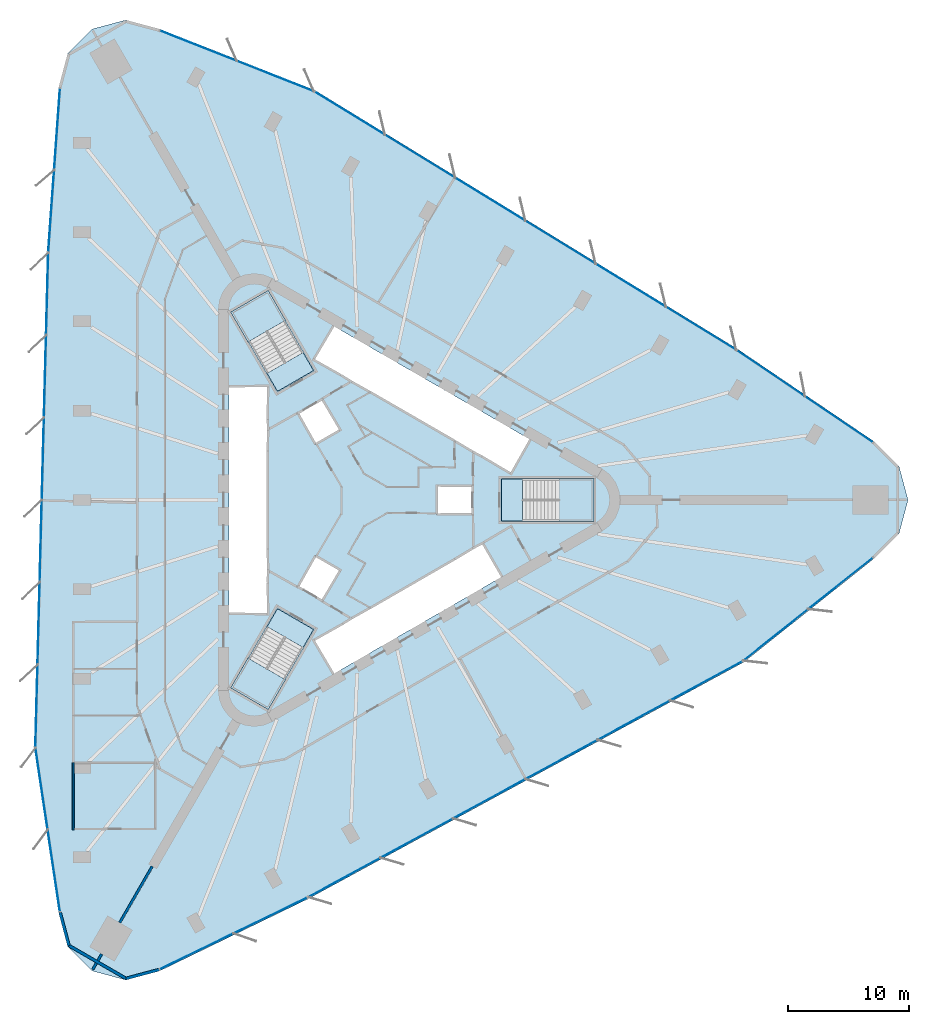
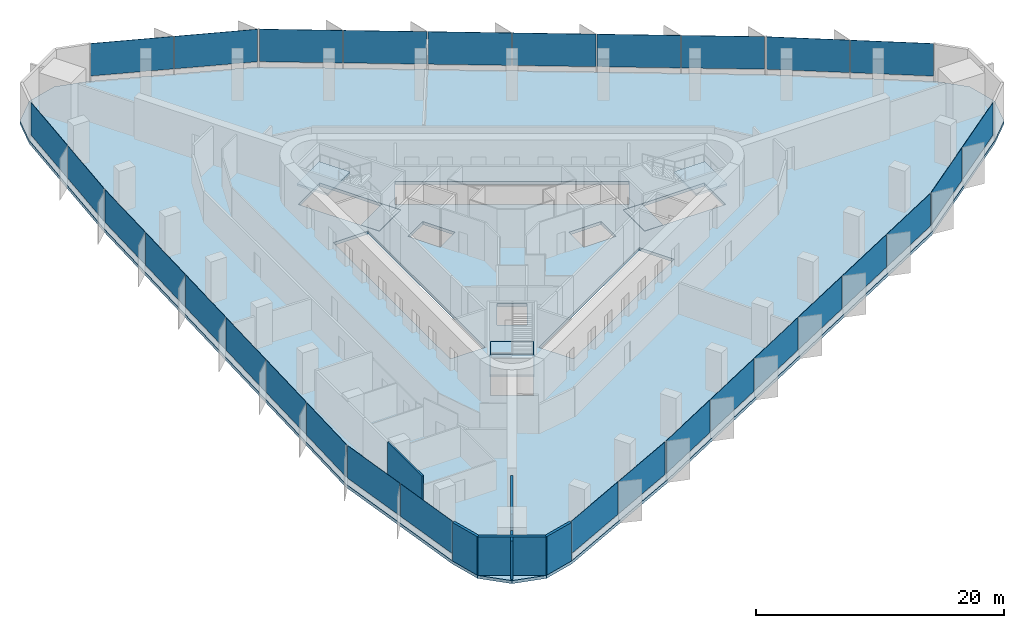
# One storey, part 7 of 13: 30 plates, 7 slabs, 7 walls, 12 elements without a shape of their own.
"""IFC4 building model written with IfcOpenShell, lengths in metres."""

from ifc_helpers import new_model, si_unit, direction, frame, frame_2d, origin, origin_2d, place, context, subcontext, project, spatial, polyline, rectangle, outline, extrude, material, layer, layer_set, type_object, element, aggregate, save


model = new_model("IFC4")

# Units and contexts
model_context = context("Model", 3, precision=1e-05, world=origin(), true_north=direction((0.0, 1.0)))
body_context = subcontext(model_context, "Body", "Model", "MODEL_VIEW")
ifc_project = project(units=[si_unit("LENGTHUNIT", "METRE"), si_unit("AREAUNIT", "SQUARE_METRE"), si_unit("VOLUMEUNIT", "CUBIC_METRE"), si_unit("PLANEANGLEUNIT", "RADIAN"), si_unit("MASSUNIT", "GRAM", prefix="KILO")], contexts=[model_context])

# Site, building, storey
site_placement = place(None, origin())
site = spatial("IfcSite", under=ifc_project, at=site_placement, CompositionType="ELEMENT")
building_placement = place(site_placement, origin())
building = spatial("IfcBuilding", under=site, at=building_placement, Name="Tanit Gate Tower", CompositionType="ELEMENT")
storey_placement = place(building_placement, frame((0.0, 0.0, 66.0)))
storey = spatial("IfcBuildingStorey", under=building, at=storey_placement, Name="L12", CompositionType="ELEMENT", Elevation=66.0)

# Slab
ifc_material_1 = material(Name="Concrete C35/45", Category="concrete")
ifc_layer_1 = layer(ifc_material_1, 0.300048828125)
ifc_layer_set_1 = layer_set([ifc_layer_1], Name="FLOOR SLAB 300 C35/45")
slab_type_1 = type_object("IfcSlabType", Name="FLOOR SLAB 300 C35/45", PredefinedType="FLOOR", material=ifc_layer_set_1)
slab_1_placement = place(storey_placement, frame((0.0, 0.0, -0.300048828125)))
element("IfcSlab", 1, at=slab_1_placement, inside=storey, type_object=slab_type_1, Name="FLOOR SLAB L12", PredefinedType="FLOOR", context=body_context, shape_type="SweptSolid", body=[
    extrude(outline(polyline([(42.225830078125, 4.82861328125), (44.2666015625, 2.78759765625), (45.013671875, 0.0), (44.2666015625, -2.78759765625), (42.225830078125, -4.82861328125), (31.4150390625, -13.427001953125), (-4.61083984375, -32.999267578125), (-16.931396484375, -38.98291015625), (-19.718994140625, -39.72998046875), (-22.5068359375, -38.98291015625), (-24.547607421875, -36.942138671875), (-25.29443359375, -34.154541015625), (-27.335693359375, -20.49267578125), (-26.272705078125, 20.49267578125), (-25.29443359375, 34.154541015625), (-24.547607421875, 36.942138671875), (-22.5068359375, 38.98291015625), (-19.718994140625, 39.72998046875), (-16.931396484375, 38.98291015625), (-4.079345703125, 33.919677734375), (30.883544921875, 12.506591796875), (42.225830078125, 4.82861328125)]), holes=[polyline([(11.3701171875, 1.72998046875), (18.929931640625, 1.72998046875), (18.929931640625, -1.72998046875), (11.3701171875, -1.72998046875), (11.3701171875, 1.72998046875)]), polyline([(-4.208984375, 11.60986328125), (-2.583984375, 14.424560546875), (13.783935546875, 4.974609375), (12.158935546875, 2.159912109375), (-4.208984375, 11.60986328125)]), polyline([(-4.208984375, -11.60986328125), (9.82080078125, -3.510009765625), (11.44580078125, -6.324462890625), (-2.583984375, -14.424560546875), (-4.208984375, -11.60986328125)]), polyline([(9.0, 1.199951171875), (9.0, -1.199951171875), (6.0, -1.199951171875), (6.0, 1.199951171875), (9.0, 1.199951171875)]), polyline([(-5.539306640625, 7.194091796875), (-3.460693359375, 8.394287109375), (-1.960693359375, 5.796142578125), (-4.039306640625, 4.59619140625), (-5.539306640625, 7.194091796875)]), polyline([(-1.960693359375, -5.796142578125), (-3.460693359375, -8.394287109375), (-5.539306640625, -7.194091796875), (-4.039306640625, -4.59619140625), (-1.960693359375, -5.796142578125)]), polyline([(-10.963134765625, 15.52880859375), (-7.966796875, 17.2587890625), (-4.186767578125, 10.711669921875), (-7.18310546875, 8.981689453125), (-10.963134765625, 15.52880859375)]), polyline([(-4.186767578125, -10.711669921875), (-7.966796875, -17.2587890625), (-10.963134765625, -15.52880859375), (-7.18310546875, -8.981689453125), (-4.186767578125, -10.711669921875)]), polyline([(-11.199951171875, -9.449951171875), (-11.199951171875, 9.449951171875), (-7.949951171875, 9.449951171875), (-7.949951171875, -9.449951171875), (-11.199951171875, -9.449951171875)])]), origin(), (0.0, 0.0, 1.0), 0.300048828125),
])

# Curtain wall, plates
ifc_material_2 = material(Name="Aluminium bronze anodised and glass", Category="aluminium")
curtain_wall_type = type_object("IfcCurtainWallType", Name="Curtain wall typical low", PredefinedType="NOTDEFINED", material=ifc_material_2)
curtain_wall_1_placement = place(storey_placement, origin())
curtain_wall_1 = element("IfcCurtainWall", 2, at=curtain_wall_1_placement, inside=storey, type_object=curtain_wall_type, Name="Curtain wall L12 NE1", PredefinedType="NOTDEFINED")
ifc_material_3 = material(Name="Glass tinted", Category="glass")
ifc_layer_2 = layer(ifc_material_3, 0.031982421875)
ifc_layer_set_2 = layer_set([ifc_layer_2], Name="Glass panel 32 typical low")
plate_type = type_object("IfcPlateType", Name="Glass panel 32 typical low", PredefinedType="CURTAIN_PANEL", material=ifc_layer_set_2)
plate_1_placement = place(storey_placement, frame((39.300048828125, 6.664306640625, 0.60009765625), z_axis=(0.0, 0.0, 1.0), x_axis=(-0.828104509627, 0.560573742816, 0.0)))
plate_1 = element("IfcPlate", 3, at=plate_1_placement, type_object=plate_type, Name="Glass panel L12 NE1.1", PredefinedType="CURTAIN_PANEL", context=body_context, shape_type="SweptSolid", body=[
    extrude(rectangle(XDim=6.72119140625, YDim=0.031982421875, at=origin_2d()), origin(), (0.0, 0.0, 1.0), 3.199951171875),
])
plate_2_placement = place(storey_placement, frame((33.667724609375, 10.476806640625, 0.60009765625), z_axis=(0.0, 0.0, 1.0), x_axis=(-0.828104509627, 0.560573742816, 0.0)))
plate_2 = element("IfcPlate", 4, at=plate_2_placement, type_object=plate_type, Name="Glass panel L12 NE1.2", PredefinedType="CURTAIN_PANEL", context=body_context, shape_type="SweptSolid", body=[
    extrude(rectangle(XDim=6.72119140625, YDim=0.031982421875, at=origin_2d()), origin(), (0.0, 0.0, 1.0), 3.199951171875),
])
aggregate(curtain_wall_1, [plate_1, plate_2])

curtain_wall_2_placement = place(storey_placement, origin())
curtain_wall_2 = element("IfcCurtainWall", 5, at=curtain_wall_2_placement, inside=storey, type_object=curtain_wall_type, Name="Curtain wall L12 NE2", PredefinedType="NOTDEFINED")
plate_3_placement = place(storey_placement, frame((27.87744140625, 14.206787109375, 0.60009765625), z_axis=(0.0, 0.0, 1.0), x_axis=(-0.852772356127, 0.522282786071, 0.0)))
plate_3 = element("IfcPlate", 6, at=plate_3_placement, type_object=plate_type, Name="Glass panel L12 NE2.1", PredefinedType="CURTAIN_PANEL", context=body_context, shape_type="SweptSolid", body=[
    extrude(rectangle(XDim=6.73779296875, YDim=0.031982421875, at=origin_2d()), origin(), (0.0, 0.0, 1.0), 3.199951171875),
])
plate_4_placement = place(storey_placement, frame((22.0634765625, 17.767578125, 0.60009765625), z_axis=(0.0, 0.0, 1.0), x_axis=(-0.852772356127, 0.522282786071, 0.0)))
plate_4 = element("IfcPlate", 7, at=plate_4_placement, type_object=plate_type, Name="Glass panel L12 NE2.2", PredefinedType="CURTAIN_PANEL", context=body_context, shape_type="SweptSolid", body=[
    extrude(rectangle(XDim=6.737548828125, YDim=0.031982421875, at=origin_2d()), origin(), (0.0, 0.0, 1.0), 3.199951171875),
])
plate_5_placement = place(storey_placement, frame((16.249755859375, 21.328369140625, 0.60009765625), z_axis=(0.0, 0.0, 1.0), x_axis=(-0.852772356127, 0.522282786071, 0.0)))
plate_5 = element("IfcPlate", 8, at=plate_5_placement, type_object=plate_type, Name="Glass panel L12 NE2.3", PredefinedType="CURTAIN_PANEL", context=body_context, shape_type="SweptSolid", body=[
    extrude(rectangle(XDim=6.73779296875, YDim=0.031982421875, at=origin_2d()), origin(), (0.0, 0.0, 1.0), 3.199951171875),
])
plate_6_placement = place(storey_placement, frame((10.435791015625, 24.88916015625, 0.60009765625), z_axis=(0.0, 0.0, 1.0), x_axis=(-0.852772356127, 0.522282786071, 0.0)))
plate_6 = element("IfcPlate", 9, at=plate_6_placement, type_object=plate_type, Name="Glass panel L12 NE2.4", PredefinedType="CURTAIN_PANEL", context=body_context, shape_type="SweptSolid", body=[
    extrude(rectangle(XDim=6.737548828125, YDim=0.031982421875, at=origin_2d()), origin(), (0.0, 0.0, 1.0), 3.199951171875),
])
plate_7_placement = place(storey_placement, frame((4.621826171875, 28.449951171875, 0.60009765625), z_axis=(0.0, 0.0, 1.0), x_axis=(-0.852772356127, 0.522282786071, 0.0)))
plate_7 = element("IfcPlate", 10, at=plate_7_placement, type_object=plate_type, Name="Glass panel L12 NE2.5", PredefinedType="CURTAIN_PANEL", context=body_context, shape_type="SweptSolid", body=[
    extrude(rectangle(XDim=6.73779296875, YDim=0.031982421875, at=origin_2d()), origin(), (0.0, 0.0, 1.0), 3.199951171875),
])
plate_8_placement = place(storey_placement, frame((-1.192138671875, 32.010498046875, 0.60009765625), z_axis=(0.0, 0.0, 1.0), x_axis=(-0.852772356127, 0.522282786071, 0.0)))
plate_8 = element("IfcPlate", 11, at=plate_8_placement, type_object=plate_type, Name="Glass panel L12 NE2.6", PredefinedType="CURTAIN_PANEL", context=body_context, shape_type="SweptSolid", body=[
    extrude(rectangle(XDim=6.737548828125, YDim=0.031982421875, at=origin_2d()), origin(), (0.0, 0.0, 1.0), 3.199951171875),
])
aggregate(curtain_wall_2, [plate_3, plate_4, plate_5, plate_6, plate_7, plate_8])

curtain_wall_3_placement = place(storey_placement, origin())
curtain_wall_3 = element("IfcCurtainWall", 12, at=curtain_wall_3_placement, inside=storey, type_object=curtain_wall_type, Name="Curtain wall L12 NE3", PredefinedType="NOTDEFINED")
plate_9_placement = place(storey_placement, frame((-7.36083984375, 35.08349609375, 0.60009765625), z_axis=(0.0, 0.0, 1.0), x_axis=(-0.930399205113, 0.366547840159, 0.0)))
plate_9 = element("IfcPlate", 13, at=plate_9_placement, type_object=plate_type, Name="Glass panel L12 NE3.1", PredefinedType="CURTAIN_PANEL", context=body_context, shape_type="SweptSolid", body=[
    extrude(rectangle(XDim=6.778076171875, YDim=0.031982421875, at=origin_2d()), origin(), (0.0, 0.0, 1.0), 3.199951171875),
])
plate_10_placement = place(storey_placement, frame((-13.741455078125, 37.59716796875, 0.60009765625), z_axis=(0.0, 0.0, 1.0), x_axis=(-0.930399205113, 0.366547840159, 0.0)))
plate_10 = element("IfcPlate", 14, at=plate_10_placement, type_object=plate_type, Name="Glass panel L12 NE3.2", PredefinedType="CURTAIN_PANEL", context=body_context, shape_type="SweptSolid", body=[
    extrude(rectangle(XDim=6.778076171875, YDim=0.031982421875, at=origin_2d()), origin(), (0.0, 0.0, 1.0), 3.199951171875),
])
aggregate(curtain_wall_3, [plate_9, plate_10])

curtain_wall_4_placement = place(storey_placement, origin())
curtain_wall_4 = element("IfcCurtainWall", 15, at=curtain_wall_4_placement, inside=storey, type_object=curtain_wall_type, Name="Curtain wall L12 W1", PredefinedType="NOTDEFINED")
plate_11_placement = place(storey_placement, frame((-25.42138671875, 30.70263671875, 0.60009765625), z_axis=(0.0, 0.0, 1.0), x_axis=(-0.07141884716, -0.997446413734, 0.0)))
plate_11 = element("IfcPlate", 16, at=plate_11_placement, type_object=plate_type, Name="Glass panel L12 W1.1", PredefinedType="CURTAIN_PANEL", context=body_context, shape_type="SweptSolid", body=[
    extrude(rectangle(XDim=6.72119140625, YDim=0.031982421875, at=origin_2d()), origin(), (0.0, 0.0, 1.0), 3.199951171875),
])
plate_12_placement = place(storey_placement, frame((-25.9072265625, 23.918701171875, 0.60009765625), z_axis=(0.0, 0.0, 1.0), x_axis=(-0.07141884716, -0.997446413734, 0.0)))
plate_12 = element("IfcPlate", 17, at=plate_12_placement, type_object=plate_type, Name="Glass panel L12 W1.2", PredefinedType="CURTAIN_PANEL", context=body_context, shape_type="SweptSolid", body=[
    extrude(rectangle(XDim=6.72119140625, YDim=0.031982421875, at=origin_2d()), origin(), (0.0, 0.0, 1.0), 3.199951171875),
])
aggregate(curtain_wall_4, [plate_11, plate_12])

curtain_wall_5_placement = place(storey_placement, origin())
curtain_wall_5 = element("IfcCurtainWall", 18, at=curtain_wall_5_placement, inside=storey, type_object=curtain_wall_type, Name="Curtain wall L12 W2", PredefinedType="NOTDEFINED")
plate_13_placement = place(storey_placement, frame((-26.2421875, 17.0390625, 0.60009765625), z_axis=(0.0, 0.0, 1.0), x_axis=(-0.025923982634, -0.999663917086, 0.0)))
plate_13 = element("IfcPlate", 19, at=plate_13_placement, type_object=plate_type, Name="Glass panel L12 W2.1", PredefinedType="CURTAIN_PANEL", context=body_context, shape_type="SweptSolid", body=[
    extrude(rectangle(XDim=6.73779296875, YDim=0.031982421875, at=origin_2d()), origin(), (0.0, 0.0, 1.0), 3.199951171875),
])
plate_14_placement = place(storey_placement, frame((-26.4189453125, 10.223876953125, 0.60009765625), z_axis=(0.0, 0.0, 1.0), x_axis=(-0.025923982634, -0.999663917086, 0.0)))
plate_14 = element("IfcPlate", 20, at=plate_14_placement, type_object=plate_type, Name="Glass panel L12 W2.2", PredefinedType="CURTAIN_PANEL", context=body_context, shape_type="SweptSolid", body=[
    extrude(rectangle(XDim=6.737548828125, YDim=0.031982421875, at=origin_2d()), origin(), (0.0, 0.0, 1.0), 3.199951171875),
])
plate_15_placement = place(storey_placement, frame((-26.595703125, 3.408447265625, 0.60009765625), z_axis=(0.0, 0.0, 1.0), x_axis=(-0.025923982634, -0.999663917086, 0.0)))
plate_15 = element("IfcPlate", 21, at=plate_15_placement, type_object=plate_type, Name="Glass panel L12 W2.3", PredefinedType="CURTAIN_PANEL", context=body_context, shape_type="SweptSolid", body=[
    extrude(rectangle(XDim=6.73779296875, YDim=0.031982421875, at=origin_2d()), origin(), (0.0, 0.0, 1.0), 3.199951171875),
])
plate_16_placement = place(storey_placement, frame((-26.7724609375, -3.406982421875, 0.60009765625), z_axis=(0.0, 0.0, 1.0), x_axis=(-0.025923982634, -0.999663917086, 0.0)))
plate_16 = element("IfcPlate", 22, at=plate_16_placement, type_object=plate_type, Name="Glass panel L12 W2.4", PredefinedType="CURTAIN_PANEL", context=body_context, shape_type="SweptSolid", body=[
    extrude(rectangle(XDim=6.737548828125, YDim=0.031982421875, at=origin_2d()), origin(), (0.0, 0.0, 1.0), 3.199951171875),
])
plate_17_placement = place(storey_placement, frame((-26.94921875, -10.22216796875, 0.60009765625), z_axis=(0.0, 0.0, 1.0), x_axis=(-0.025923982634, -0.999663917086, 0.0)))
plate_17 = element("IfcPlate", 23, at=plate_17_placement, type_object=plate_type, Name="Glass panel L12 W2.5", PredefinedType="CURTAIN_PANEL", context=body_context, shape_type="SweptSolid", body=[
    extrude(rectangle(XDim=6.73779296875, YDim=0.031982421875, at=origin_2d()), origin(), (0.0, 0.0, 1.0), 3.199951171875),
])
plate_18_placement = place(storey_placement, frame((-27.1259765625, -17.03759765625, 0.60009765625), z_axis=(0.0, 0.0, 1.0), x_axis=(-0.025923982634, -0.999663917086, 0.0)))
plate_18 = element("IfcPlate", 24, at=plate_18_placement, type_object=plate_type, Name="Glass panel L12 W2.6", PredefinedType="CURTAIN_PANEL", context=body_context, shape_type="SweptSolid", body=[
    extrude(rectangle(XDim=6.737548828125, YDim=0.031982421875, at=origin_2d()), origin(), (0.0, 0.0, 1.0), 3.199951171875),
])
aggregate(curtain_wall_5, [plate_13, plate_14, plate_15, plate_16, plate_17, plate_18])

curtain_wall_6_placement = place(storey_placement, origin())
curtain_wall_6 = element("IfcCurtainWall", 25, at=curtain_wall_6_placement, inside=storey, type_object=curtain_wall_type, Name="Curtain wall L12 W3", PredefinedType="NOTDEFINED")
plate_19_placement = place(storey_placement, frame((-26.702880859375, -23.916259765625, 0.60009765625), z_axis=(0.0, 0.0, 1.0), x_axis=(0.147759861276, -0.989023267368, 0.0)))
plate_19 = element("IfcPlate", 26, at=plate_19_placement, type_object=plate_type, Name="Glass panel L12 W3.1", PredefinedType="CURTAIN_PANEL", context=body_context, shape_type="SweptSolid", body=[
    extrude(rectangle(XDim=6.778076171875, YDim=0.031982421875, at=origin_2d()), origin(), (0.0, 0.0, 1.0), 3.199951171875),
])
plate_20_placement = place(storey_placement, frame((-25.689453125, -30.698974609375, 0.60009765625), z_axis=(0.0, 0.0, 1.0), x_axis=(0.147759861276, -0.989023267368, 0.0)))
plate_20 = element("IfcPlate", 27, at=plate_20_placement, type_object=plate_type, Name="Glass panel L12 W3.2", PredefinedType="CURTAIN_PANEL", context=body_context, shape_type="SweptSolid", body=[
    extrude(rectangle(XDim=6.778076171875, YDim=0.031982421875, at=origin_2d()), origin(), (0.0, 0.0, 1.0), 3.199951171875),
])
aggregate(curtain_wall_6, [plate_19, plate_20])

curtain_wall_7_placement = place(storey_placement, origin())
curtain_wall_7 = element("IfcCurtainWall", 28, at=curtain_wall_7_placement, inside=storey, type_object=curtain_wall_type, Name="Curtain wall L12 SE1", PredefinedType="NOTDEFINED")
plate_21_placement = place(storey_placement, frame((-13.878662109375, -37.366943359375, 0.60009765625), z_axis=(0.0, 0.0, 1.0), x_axis=(0.899523356787, 0.436872670918, 0.0)))
plate_21 = element("IfcPlate", 29, at=plate_21_placement, type_object=plate_type, Name="Glass panel L12 SE1.1", PredefinedType="CURTAIN_PANEL", context=body_context, shape_type="SweptSolid", body=[
    extrude(rectangle(XDim=6.72119140625, YDim=0.031982421875, at=origin_2d()), origin(), (0.0, 0.0, 1.0), 3.199951171875),
])
plate_22_placement = place(storey_placement, frame((-7.7607421875, -34.3955078125, 0.60009765625), z_axis=(0.0, 0.0, 1.0), x_axis=(0.899523356787, 0.436872670918, 0.0)))
plate_22 = element("IfcPlate", 30, at=plate_22_placement, type_object=plate_type, Name="Glass panel L12 SE1.2", PredefinedType="CURTAIN_PANEL", context=body_context, shape_type="SweptSolid", body=[
    extrude(rectangle(XDim=6.72119140625, YDim=0.031982421875, at=origin_2d()), origin(), (0.0, 0.0, 1.0), 3.199951171875),
])
aggregate(curtain_wall_7, [plate_21, plate_22])

curtain_wall_8_placement = place(storey_placement, origin())
curtain_wall_8 = element("IfcCurtainWall", 31, at=curtain_wall_8_placement, inside=storey, type_object=curtain_wall_type, Name="Curtain wall L12 SE2", PredefinedType="NOTDEFINED")
plate_23_placement = place(storey_placement, frame((-1.63525390625, -31.24609375, 0.60009765625), z_axis=(0.0, 0.0, 1.0), x_axis=(0.87869633876, 0.477381131015, 0.0)))
plate_23 = element("IfcPlate", 32, at=plate_23_placement, type_object=plate_type, Name="Glass panel L12 SE2.1", PredefinedType="CURTAIN_PANEL", context=body_context, shape_type="SweptSolid", body=[
    extrude(rectangle(XDim=6.73779296875, YDim=0.031982421875, at=origin_2d()), origin(), (0.0, 0.0, 1.0), 3.199951171875),
])
plate_24_placement = place(storey_placement, frame((4.35546875, -27.991455078125, 0.60009765625), z_axis=(0.0, 0.0, 1.0), x_axis=(0.87869633876, 0.477381131015, 0.0)))
plate_24 = element("IfcPlate", 33, at=plate_24_placement, type_object=plate_type, Name="Glass panel L12 SE2.2", PredefinedType="CURTAIN_PANEL", context=body_context, shape_type="SweptSolid", body=[
    extrude(rectangle(XDim=6.737548828125, YDim=0.031982421875, at=origin_2d()), origin(), (0.0, 0.0, 1.0), 3.199951171875),
])
plate_25_placement = place(storey_placement, frame((10.34619140625, -24.73681640625, 0.60009765625), z_axis=(0.0, 0.0, 1.0), x_axis=(0.87869633876, 0.477381131015, 0.0)))
plate_25 = element("IfcPlate", 34, at=plate_25_placement, type_object=plate_type, Name="Glass panel L12 SE2.3", PredefinedType="CURTAIN_PANEL", context=body_context, shape_type="SweptSolid", body=[
    extrude(rectangle(XDim=6.73779296875, YDim=0.031982421875, at=origin_2d()), origin(), (0.0, 0.0, 1.0), 3.199951171875),
])
plate_26_placement = place(storey_placement, frame((16.336669921875, -21.482177734375, 0.60009765625), z_axis=(0.0, 0.0, 1.0), x_axis=(0.87869633876, 0.477381131015, 0.0)))
plate_26 = element("IfcPlate", 35, at=plate_26_placement, type_object=plate_type, Name="Glass panel L12 SE2.4", PredefinedType="CURTAIN_PANEL", context=body_context, shape_type="SweptSolid", body=[
    extrude(rectangle(XDim=6.737548828125, YDim=0.031982421875, at=origin_2d()), origin(), (0.0, 0.0, 1.0), 3.199951171875),
])
plate_27_placement = place(storey_placement, frame((22.327392578125, -18.2275390625, 0.60009765625), z_axis=(0.0, 0.0, 1.0), x_axis=(0.87869633876, 0.477381131015, 0.0)))
plate_27 = element("IfcPlate", 36, at=plate_27_placement, type_object=plate_type, Name="Glass panel L12 SE2.5", PredefinedType="CURTAIN_PANEL", context=body_context, shape_type="SweptSolid", body=[
    extrude(rectangle(XDim=6.73779296875, YDim=0.031982421875, at=origin_2d()), origin(), (0.0, 0.0, 1.0), 3.199951171875),
])
plate_28_placement = place(storey_placement, frame((28.318115234375, -14.972900390625, 0.60009765625), z_axis=(0.0, 0.0, 1.0), x_axis=(0.87869633876, 0.477381131015, 0.0)))
plate_28 = element("IfcPlate", 37, at=plate_28_placement, type_object=plate_type, Name="Glass panel L12 SE2.6", PredefinedType="CURTAIN_PANEL", context=body_context, shape_type="SweptSolid", body=[
    extrude(rectangle(XDim=6.737548828125, YDim=0.031982421875, at=origin_2d()), origin(), (0.0, 0.0, 1.0), 3.199951171875),
])
aggregate(curtain_wall_8, [plate_23, plate_24, plate_25, plate_26, plate_27, plate_28])

curtain_wall_9_placement = place(storey_placement, origin())
curtain_wall_9 = element("IfcCurtainWall", 38, at=curtain_wall_9_placement, inside=storey, type_object=curtain_wall_type, Name="Curtain wall L12 SE3", PredefinedType="NOTDEFINED")
plate_29_placement = place(storey_placement, frame((34.0634765625, -11.167236328125, 0.60009765625), z_axis=(0.0, 0.0, 1.0), x_axis=(0.782639343837, 0.622475427209, 0.0)))
plate_29 = element("IfcPlate", 39, at=plate_29_placement, type_object=plate_type, Name="Glass panel L12 SE3.1", PredefinedType="CURTAIN_PANEL", context=body_context, shape_type="SweptSolid", body=[
    extrude(rectangle(XDim=6.778076171875, YDim=0.031982421875, at=origin_2d()), origin(), (0.0, 0.0, 1.0), 3.199951171875),
])
plate_30_placement = place(storey_placement, frame((39.430908203125, -6.898193359375, 0.60009765625), z_axis=(0.0, 0.0, 1.0), x_axis=(0.782639343837, 0.622475427209, 0.0)))
plate_30 = element("IfcPlate", 40, at=plate_30_placement, type_object=plate_type, Name="Glass panel L12 SE3.2", PredefinedType="CURTAIN_PANEL", context=body_context, shape_type="SweptSolid", body=[
    extrude(rectangle(XDim=6.778076171875, YDim=0.031982421875, at=origin_2d()), origin(), (0.0, 0.0, 1.0), 3.199951171875),
])
aggregate(curtain_wall_9, [plate_29, plate_30])

# Stair, slab
ifc_material_4 = material(Name="Concrete C40/50", Category="concrete")
stair_type = type_object("IfcStairType", Name="INT-STAIR-EXIT", PredefinedType="HALF_TURN_STAIR", material=ifc_material_4)
stair_1_placement = place(storey_placement, origin())
stair_1 = element("IfcStair", 41, at=stair_1_placement, inside=storey, type_object=stair_type, Name="L12 STAIR S1", PredefinedType="HALF_TURN_STAIR")
ifc_material_5 = material(Name="Concrete C40/50", Category="concrete")
ifc_layer_3 = layer(ifc_material_5, 0.199951171875)
ifc_layer_set_3 = layer_set([ifc_layer_3], Name="INT-STAIR-LANDING")
slab_type_2 = type_object("IfcSlabType", Name="INT-STAIR-LANDING", PredefinedType="LANDING", material=ifc_layer_set_3)
slab_2_placement = place(storey_placement, frame((0.0, 0.0, 1.85009765625)))
slab_2 = element("IfcSlab", 42, at=slab_2_placement, type_object=slab_type_2, Name="S1 landing 1", PredefinedType="LANDING", context=body_context, shape_type="SweptSolid", body=[
    extrude(outline(polyline([(16.135986328125, -1.800048828125), (19.0, -1.800048828125), (19.0, 1.800048828125), (16.135986328125, 1.800048828125), (16.135986328125, -1.800048828125)])), origin(), (0.0, 0.0, 1.0), 0.199951171875),
])
aggregate(stair_1, [slab_2])

# Slab
slab_3_placement = place(storey_placement, frame((0.0, 0.0, -0.199951171875)))
element("IfcSlab", 43, at=slab_3_placement, inside=storey, type_object=slab_type_2, Name="S1 floor landing", PredefinedType="LANDING", context=body_context, shape_type="SweptSolid", body=[
    extrude(outline(polyline([(11.3798828125, -1.719970703125), (13.10498046875, -1.719970703125), (13.10498046875, 1.719970703125), (11.3798828125, 1.719970703125), (11.3798828125, -1.719970703125)])), origin(), (0.0, 0.0, 1.0), 0.199951171875),
])

# Stair, slab
stair_2_placement = place(storey_placement, origin())
stair_2 = element("IfcStair", 44, at=stair_2_placement, inside=storey, type_object=stair_type, Name="L12 STAIR S2", PredefinedType="HALF_TURN_STAIR")
slab_4_placement = place(storey_placement, frame((0.0, 0.0, 1.85009765625)))
slab_4 = element("IfcSlab", 45, at=slab_4_placement, type_object=slab_type_2, Name="S2 landing 1", PredefinedType="LANDING", context=body_context, shape_type="SweptSolid", body=[
    extrude(outline(polyline([(-6.5078125, 14.871826171875), (-7.941162109375, 17.3544921875), (-11.058837890625, 15.554443359375), (-9.62548828125, 13.07177734375), (-6.5078125, 14.871826171875)])), origin(), (0.0, 0.0, 1.0), 0.199951171875),
])
aggregate(stair_2, [slab_4])

# Slab
slab_5_placement = place(storey_placement, frame((0.0, 0.0, -0.199951171875)))
element("IfcSlab", 46, at=slab_5_placement, inside=storey, type_object=slab_type_2, Name="S2 floor landing", PredefinedType="LANDING", context=body_context, shape_type="SweptSolid", body=[
    extrude(outline(polyline([(-4.200439453125, 10.71533203125), (-5.0625, 12.20849609375), (-8.04150390625, 10.48828125), (-7.179443359375, 8.995361328125), (-4.200439453125, 10.71533203125)])), origin(), (0.0, 0.0, 1.0), 0.199951171875),
])

# Stair, slab
stair_3_placement = place(storey_placement, origin())
stair_3 = element("IfcStair", 47, at=stair_3_placement, inside=storey, type_object=stair_type, Name="L12 STAIR S3", PredefinedType="HALF_TURN_STAIR")
slab_6_placement = place(storey_placement, frame((0.0, 0.0, 1.85009765625)))
slab_6 = element("IfcSlab", 48, at=slab_6_placement, type_object=slab_type_2, Name="S3 landing 1", PredefinedType="LANDING", context=body_context, shape_type="SweptSolid", body=[
    extrude(outline(polyline([(-9.626953125, -13.07421875), (-11.058837890625, -15.554443359375), (-7.941162109375, -17.3544921875), (-6.509033203125, -14.874267578125), (-9.626953125, -13.07421875)])), origin(), (0.0, 0.0, 1.0), 0.199951171875),
])
aggregate(stair_3, [slab_6])

# Slab
slab_7_placement = place(storey_placement, frame((0.0, 0.0, -0.199951171875)))
element("IfcSlab", 49, at=slab_7_placement, inside=storey, type_object=slab_type_2, Name="S3 floor landing", PredefinedType="LANDING", context=body_context, shape_type="SweptSolid", body=[
    extrude(outline(polyline([(-7.179443359375, -8.995361328125), (-8.0419921875, -10.4892578125), (-5.06298828125, -12.209228515625), (-4.200439453125, -10.71533203125), (-7.179443359375, -8.995361328125)])), origin(), (0.0, 0.0, 1.0), 0.199951171875),
])

# Walls
ifc_material_6 = material(Name="Concrete C30/37 with bronze anodised aluminium cladding", Category="concrete")
ifc_layer_4 = layer(ifc_material_6, 0.239990234375)
ifc_layer_set_4 = layer_set([ifc_layer_4], Name="Facade wall bronze clad 240")
wall_type_1 = type_object("IfcWallType", Name="Facade wall bronze clad 240", PredefinedType="SOLIDWALL", material=ifc_layer_set_4)
wall_1_placement = place(storey_placement, frame((-25.1767578125, -34.1298828125, 0.0), z_axis=(0.0, 0.0, 1.0), x_axis=(0.258783231513, -0.9659354218, 0.0)))
element("IfcWall", 50, at=wall_1_placement, inside=storey, type_object=wall_type_1, Name="Bronze-clad facade wall L12 SW.arc1", PredefinedType="SOLIDWALL", context=body_context, shape_type="SweptSolid", body=[
    extrude(rectangle(XDim=2.84716796875, YDim=0.239990234375, at=frame_2d((1.423583984375, 0.0))), origin(), (0.0, 0.0, 1.0), 3.800048828125),
])
wall_2_placement = place(storey_placement, frame((-24.43994140625, -36.880126953125, 0.0), z_axis=(0.0, 0.0, 1.0), x_axis=(0.866029712004, -0.499992537871, 0.0)))
element("IfcWall", 51, at=wall_2_placement, inside=storey, type_object=wall_type_1, Name="Bronze-clad facade wall L12 SW.arc2", PredefinedType="SOLIDWALL", context=body_context, shape_type="SweptSolid", body=[
    extrude(rectangle(XDim=5.451171875, YDim=0.239990234375, at=frame_2d((2.7255859375, 0.0))), origin(), (0.0, 0.0, 1.0), 3.800048828125),
])
wall_3_placement = place(storey_placement, frame((-19.718994140625, -39.605712890625, 0.0), z_axis=(0.0, 0.0, 1.0), x_axis=(0.965933483463, 0.258790466448, 0.0)))
element("IfcWall", 52, at=wall_3_placement, inside=storey, type_object=wall_type_1, Name="Bronze-clad facade wall L12 SW.arc3", PredefinedType="SOLIDWALL", context=body_context, shape_type="SweptSolid", body=[
    extrude(rectangle(XDim=2.842529296875, YDim=0.239990234375, at=frame_2d((1.42138671875, 0.0))), origin(), (0.0, 0.0, 1.0), 3.800048828125),
])
ifc_material_7 = material(Name="Fire-rated gypsum board partition")
ifc_layer_5 = layer(ifc_material_7, 0.199951171875)
ifc_layer_set_5 = layer_set([ifc_layer_5], Name="INT-WALL-COMPARTMENT")
wall_type_2 = type_object("IfcWallType", Name="INT-WALL-COMPARTMENT", PredefinedType="PARTITIONING", material=ifc_layer_set_5)
wall_4_placement = place(storey_placement, frame((-17.54296875, -30.3251953125, 0.0), z_axis=(0.0, 0.0, 1.0), x_axis=(-0.500014458952, -0.866017055744, 0.0)))
element("IfcWall", 53, at=wall_4_placement, inside=storey, type_object=wall_type_2, Name="Wall Compartment W115", PredefinedType="PARTITIONING", context=body_context, shape_type="SweptSolid", body=[
    extrude(rectangle(XDim=5.379638671875, YDim=0.199951171875, at=frame_2d((2.68994140625, 0.0))), origin(), (0.0, 0.0, 1.0), 3.3701171875),
])
wall_5_placement = place(storey_placement, frame((-21.73291015625, -37.582275390625, 0.0), z_axis=(0.0, 0.0, 1.0), x_axis=(-0.49966612908, -0.86621807846, 0.0)))
element("IfcWall", 54, at=wall_5_placement, inside=storey, type_object=wall_type_2, Name="Wall Compartment W114", PredefinedType="PARTITIONING", context=body_context, shape_type="SweptSolid", body=[
    extrude(rectangle(XDim=0.62548828125, YDim=0.199951171875, at=frame_2d((0.312744140625, 0.0))), origin(), (0.0, 0.0, 1.0), 3.800048828125),
])
wall_6_placement = place(storey_placement, frame((-22.16552734375, -38.331787109375, 0.0), z_axis=(0.0, 0.0, 1.0), x_axis=(-0.499757541684, -0.866165341912, 0.0)))
element("IfcWall", 55, at=wall_6_placement, inside=storey, type_object=wall_type_2, Name="Wall Compartment W114x1", PredefinedType="PARTITIONING", context=body_context, shape_type="SweptSolid", body=[
    extrude(rectangle(XDim=0.602294921875, YDim=0.199951171875, at=frame_2d((0.30126953125, 0.0))), origin(), (0.0, 0.0, 1.0), 3.800048828125),
])
ifc_material_8 = material(Name="Fire-rated gypsum board partition")
ifc_layer_6 = layer(ifc_material_8, 0.14990234375)
ifc_layer_set_6 = layer_set([ifc_layer_6], Name="INT-WALL-RISER")
wall_type_3 = type_object("IfcWallType", Name="INT-WALL-RISER", PredefinedType="PLUMBINGWALL", material=ifc_layer_set_6)
wall_7_placement = place(storey_placement, frame((-24.080078125, -27.304931640625, 0.0), z_axis=(0.0, 0.0, 1.0), x_axis=(0.0, 1.0, 0.0)))
element("IfcWall", 56, at=wall_7_placement, inside=storey, type_object=wall_type_3, Name="Wall Riser W121", PredefinedType="PLUMBINGWALL", context=body_context, shape_type="SweptSolid", body=[
    extrude(rectangle(XDim=5.57177734375, YDim=0.14990234375, at=frame_2d((2.785888671875, 0.0))), origin(), (0.0, 0.0, 1.0), 3.800048828125),
])

save(model, "model.ifc")
